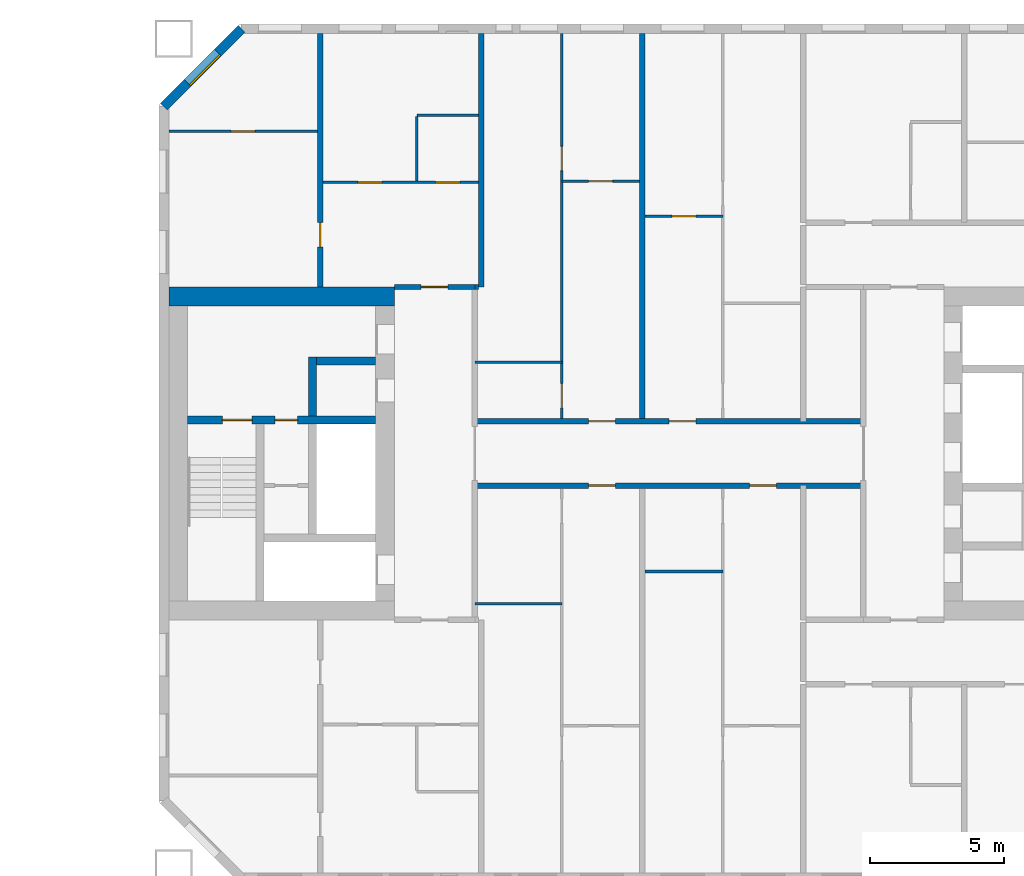
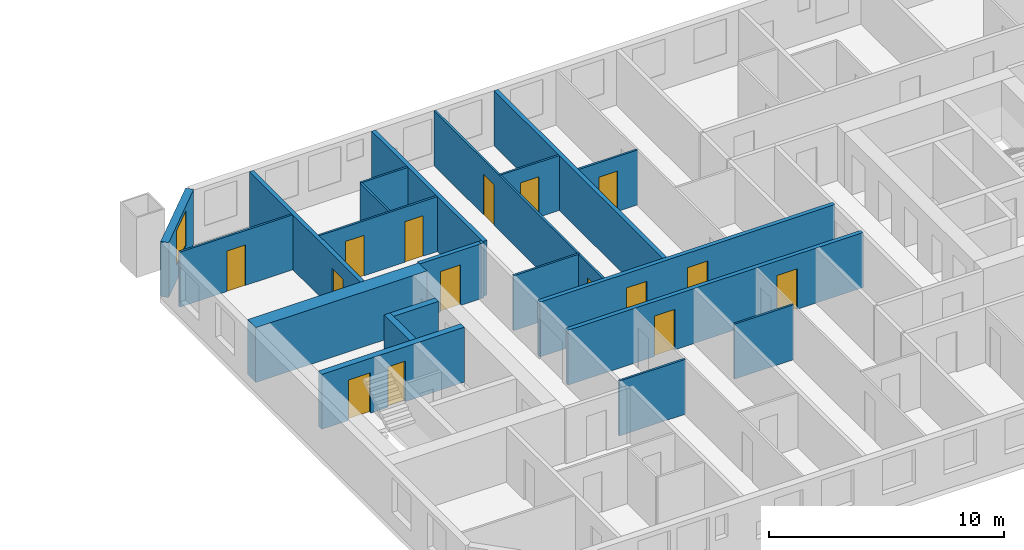
# One storey, part 10 of 17: 22 walls, 15 doors, 1 window, 16 openings.
"""IFC4 building model written with IfcOpenShell, lengths in metres."""

from ifc_helpers import new_model, si_unit, direction, frame, frame_2d, origin, place, context, subcontext, project, spatial, rectangle, extrude, material, layer, layer_set, type_object, element, fill, save


model = new_model("IFC4")

# Units and contexts
model_context = context("Model", 3, precision=1e-05, world=origin(), true_north=direction((0.0, 1.0)))
body_context = subcontext(model_context, "Body", "Model", "MODEL_VIEW")
ifc_project = project(units=[si_unit("LENGTHUNIT", "METRE"), si_unit("AREAUNIT", "SQUARE_METRE"), si_unit("VOLUMEUNIT", "CUBIC_METRE"), si_unit("PLANEANGLEUNIT", "RADIAN"), si_unit("MASSUNIT", "GRAM", prefix="KILO")], contexts=[model_context])

# Site, building, storey
site_placement = place(None, origin())
site = spatial("IfcSite", under=ifc_project, at=site_placement, CompositionType="ELEMENT")
building_placement = place(site_placement, origin())
building = spatial("IfcBuilding", under=site, at=building_placement, Name="Tuart Gate Housing", CompositionType="ELEMENT")
storey_placement = place(building_placement, frame((0.0, 0.0, 77.800048828125)))
storey = spatial("IfcBuildingStorey", under=building, at=storey_placement, Name="L21", CompositionType="ELEMENT", Elevation=77.800048828125)

# Wall, opening, window
ifc_material_1 = material(Name="Brick", Category="masonry")
ifc_layer_1 = layer(ifc_material_1, 0.360107421875)
ifc_layer_set_1 = layer_set([ifc_layer_1], Name="Brick pier and spandrel wall 360")
wall_type_1 = type_object("IfcWallType", Name="Brick pier and spandrel wall 360", PredefinedType="STANDARD", material=ifc_layer_set_1)
wall_1_placement = place(storey_placement, frame((134.07470703125, 85.820068359375, 0.0), z_axis=(0.0, 0.0, 1.0), x_axis=(-0.707106781187, -0.707106781187, 0.0)))
wall_1 = element("IfcWall", 1, at=wall_1_placement, inside=storey, type_object=wall_type_1, Name="External wall B-NW L21", PredefinedType="STANDARD", context=body_context, shape_type="SweptSolid", body=[
    extrude(rectangle(XDim=4.09375, YDim=0.360107421875, at=frame_2d((2.046875, 0.0))), origin(), (0.0, 0.0, 1.0), 2.849853515625),
])
opening_1_placement = place(wall_1_placement, frame((1.2470703125, 0.0, 0.800048828125)))
opening_1 = element("IfcOpeningElement", 2, at=opening_1_placement, cuts=wall_1, Name="Opening W1", PredefinedType="OPENING", context=body_context, shape_type="SweptSolid", body=[
    extrude(rectangle(XDim=1.60009765625, YDim=1.800048828125, at=frame_2d((0.800048828125, 0.89990234375))), frame((0.0, 0.18994140625, 0.0), z_axis=(0.0, -1.0, 0.0), x_axis=(1.0, 0.0, 0.0)), (0.0, 0.0, 1.0), 0.380126953125),
])
ifc_material_2 = material(Name="Aluminium frame with clear glass", Category="aluminium")
window_type = type_object("IfcWindowType", Name="Punched window 1600 x 1800", PartitioningType="SINGLE_PANEL", PredefinedType="WINDOW", material=ifc_material_2)
window_placement = place(opening_1_placement, origin())
window = element("IfcWindow", 3, at=window_placement, inside=storey, type_object=window_type, Name="Window W1", OverallHeight=1.800048828125, OverallWidth=1.60009765625, PartitioningType="SINGLE_PANEL", PredefinedType="WINDOW", context=body_context, shape_type="SweptSolid", body=[
    extrude(rectangle(XDim=1.60009765625, YDim=1.800048828125, at=frame_2d((0.800048828125, 0.89990234375))), frame((0.0, 0.150146484375, 0.0), z_axis=(0.0, -1.0, 0.0), x_axis=(1.0, 0.0, 0.0)), (0.0, 0.0, 1.0), 0.06005859375),
])
fill(opening_1, window)

# Wall, openings, doors
ifc_material_3 = material(Name="Concrete C50", Category="concrete")
ifc_layer_2 = layer(ifc_material_3, 0.300048828125)
ifc_layer_set_2 = layer_set([ifc_layer_2], Name="Core wall 300 C50")
wall_type_2 = type_object("IfcWallType", Name="Core wall 300 C50", PredefinedType="SHEAR", material=ifc_layer_set_2)
wall_2_placement = place(storey_placement, frame((139.06005859375, 71.25, 0.0), z_axis=(0.0, 0.0, 1.0), x_axis=(-1.0, 0.0, 0.0)))
wall_2 = element("IfcWall", 4, at=wall_2_placement, inside=storey, type_object=wall_type_2, Name="Core wall BG.3", PredefinedType="SHEAR", context=body_context, shape_type="SweptSolid", body=[
    extrude(rectangle(XDim=7.0, YDim=0.300048828125, at=frame_2d((3.5, 0.0))), origin(), (0.0, 0.0, 1.0), 2.849853515625),
])
opening_2_placement = place(wall_2_placement, frame((4.60009765625, 0.0, 0.0)))
opening_2 = element("IfcOpeningElement", 5, at=opening_2_placement, cuts=wall_2, Name="Opening D916", PredefinedType="OPENING", context=body_context, shape_type="SweptSolid", body=[
    extrude(rectangle(XDim=1.10009765625, YDim=2.10009765625, at=frame_2d((0.550048828125, 1.050048828125))), frame((0.0, 0.159912109375, 0.0), z_axis=(0.0, -1.0, 0.0), x_axis=(1.0, 0.0, 0.0)), (0.0, 0.0, 1.0), 0.320068359375),
])
opening_3_placement = place(wall_2_placement, frame((2.89990234375, 0.0, 0.0)))
opening_3 = element("IfcOpeningElement", 6, at=opening_3_placement, cuts=wall_2, Name="Opening D915", PredefinedType="OPENING", context=body_context, shape_type="SweptSolid", body=[
    extrude(rectangle(XDim=0.85009765625, YDim=2.10009765625, at=frame_2d((0.425048828125, 1.050048828125))), frame((0.0, 0.159912109375, 0.0), z_axis=(0.0, -1.0, 0.0), x_axis=(1.0, 0.0, 0.0)), (0.0, 0.0, 1.0), 0.320068359375),
])
ifc_material_4 = material(Name="Steel fire door", Category="steel")
door_type_1 = type_object("IfcDoorType", Name="Riser door 850 x 2100", OperationType="SINGLE_SWING_LEFT", PredefinedType="DOOR", material=ifc_material_4)
door_1_placement = place(opening_3_placement, origin())
door_1 = element("IfcDoor", 7, at=door_1_placement, inside=storey, type_object=door_type_1, Name="Service room door BG.W1", OperationType="SINGLE_SWING_LEFT", OverallHeight=2.10009765625, OverallWidth=0.85009765625, PredefinedType="DOOR", context=body_context, shape_type="SweptSolid", body=[
    extrude(rectangle(XDim=0.85009765625, YDim=2.10009765625, at=frame_2d((0.425048828125, 1.050048828125))), frame((0.0, 0.02490234375, 0.0), z_axis=(0.0, -1.0, 0.0), x_axis=(1.0, 0.0, 0.0)), (0.0, 0.0, 1.0), 0.050048828125),
])
fill(opening_3, door_1)
ifc_material_5 = material(Name="Steel fire door", Category="steel")
door_type_2 = type_object("IfcDoorType", Name="Stair door 1100 x 2100", OperationType="SINGLE_SWING_LEFT", PredefinedType="DOOR", material=ifc_material_5)
door_2_placement = place(opening_2_placement, origin())
door_2 = element("IfcDoor", 8, at=door_2_placement, inside=storey, type_object=door_type_2, Name="Stair door BG.SD", OperationType="SINGLE_SWING_LEFT", OverallHeight=2.10009765625, OverallWidth=1.10009765625, PredefinedType="DOOR", context=body_context, shape_type="SweptSolid", body=[
    extrude(rectangle(XDim=1.10009765625, YDim=2.10009765625, at=frame_2d((0.550048828125, 1.050048828125))), frame((0.0, 0.02490234375, 0.0), z_axis=(0.0, -1.0, 0.0), x_axis=(1.0, 0.0, 0.0)), (0.0, 0.0, 1.0), 0.050048828125),
])
fill(opening_2, door_2)

# Walls
wall_3_placement = place(storey_placement, frame((139.06005859375, 73.449951171875, 0.0), z_axis=(0.0, 0.0, 1.0), x_axis=(-1.0, 0.0, 0.0)))
element("IfcWall", 9, at=wall_3_placement, inside=storey, type_object=wall_type_2, Name="Core wall BG.4", PredefinedType="SHEAR", context=body_context, shape_type="SweptSolid", body=[
    extrude(rectangle(XDim=2.199951171875, YDim=0.300048828125, at=frame_2d((1.10009765625, 0.0))), origin(), (0.0, 0.0, 1.0), 2.849853515625),
])
wall_4_placement = place(storey_placement, frame((136.7099609375, 71.39990234375, 0.0), z_axis=(0.0, 0.0, 1.0), x_axis=(0.0, 1.0, 0.0)))
element("IfcWall", 10, at=wall_4_placement, inside=storey, type_object=wall_type_2, Name="Core wall BG.6", PredefinedType="SHEAR", context=body_context, shape_type="SweptSolid", body=[
    extrude(rectangle(XDim=2.2001953125, YDim=0.300048828125, at=frame_2d((1.10009765625, 0.0))), origin(), (0.0, 0.0, 1.0), 2.849853515625),
])
ifc_material_6 = material(Name="Concrete C50", Category="concrete")
ifc_layer_3 = layer(ifc_material_6, 0.699951171875)
ifc_layer_set_3 = layer_set([ifc_layer_3], Name="Core wall 700 C50")
wall_type_3 = type_object("IfcWallType", Name="Core wall 700 C50", PredefinedType="SHEAR", material=ifc_layer_set_3)
wall_5_placement = place(storey_placement, frame((139.760009765625, 75.85009765625, 0.0), z_axis=(0.0, 0.0, 1.0), x_axis=(-1.0, 0.0, 0.0)))
element("IfcWall", 11, at=wall_5_placement, inside=storey, type_object=wall_type_3, Name="Core wall BG north", PredefinedType="SHEAR", context=body_context, shape_type="SweptSolid", body=[
    extrude(rectangle(XDim=8.39990234375, YDim=0.699951171875, at=frame_2d((4.199951171875, 0.0))), origin(), (0.0, 0.0, 1.0), 2.849853515625),
])

# Wall, openings, doors
ifc_material_7 = material(Name="Concrete masonry 15 MPa", Category="masonry")
ifc_layer_4 = layer(ifc_material_7, 0.199951171875)
ifc_layer_set_4 = layer_set([ifc_layer_4], Name="Corridor wall masonry 200")
wall_type_4 = type_object("IfcWallType", Name="Corridor wall masonry 200", PredefinedType="PARTITIONING", material=ifc_layer_set_4)
wall_6_placement = place(storey_placement, frame((142.760009765625, 68.800048828125, 0.0), z_axis=(0.0, 0.0, 1.0), x_axis=(1.0, 0.0, 0.0)))
wall_6 = element("IfcWall", 12, at=wall_6_placement, inside=storey, type_object=wall_type_4, Name="Corridor wall masonry 200", PredefinedType="PARTITIONING", context=body_context, shape_type="SweptSolid", body=[
    extrude(rectangle(XDim=14.47998046875, YDim=0.199951171875, at=frame_2d((7.239990234375, 0.0))), origin(), (0.0, 0.0, 1.0), 2.849853515625),
])
opening_4_placement = place(wall_6_placement, frame((4.239990234375, 0.0, 0.0)))
opening_4 = element("IfcOpeningElement", 13, at=opening_4_placement, cuts=wall_6, Name="Opening D928", PredefinedType="OPENING", context=body_context, shape_type="SweptSolid", body=[
    extrude(rectangle(XDim=1.0, YDim=2.10009765625, at=frame_2d((0.5, 1.050048828125))), frame((0.0, 0.10986328125, 0.0), z_axis=(0.0, -1.0, 0.0), x_axis=(1.0, 0.0, 0.0)), (0.0, 0.0, 1.0), 0.219970703125),
])
opening_5_placement = place(wall_6_placement, frame((10.239990234375, 0.0, 0.0)))
opening_5 = element("IfcOpeningElement", 14, at=opening_5_placement, cuts=wall_6, Name="Opening D929", PredefinedType="OPENING", context=body_context, shape_type="SweptSolid", body=[
    extrude(rectangle(XDim=1.0, YDim=2.10009765625, at=frame_2d((0.5, 1.050048828125))), frame((0.0, 0.10986328125, 0.0), z_axis=(0.0, -1.0, 0.0), x_axis=(1.0, 0.0, 0.0)), (0.0, 0.0, 1.0), 0.219970703125),
])
ifc_material_8 = material(Name="Timber door leaf in steel frame", Category="steel")
door_type_3 = type_object("IfcDoorType", Name="Flat entrance door 1000 RH", OperationType="SINGLE_SWING_RIGHT", PredefinedType="DOOR", material=ifc_material_8)
door_3_placement = place(opening_4_placement, frame((1.0, 0.0, 0.0), z_axis=(0.0, 0.0, 1.0), x_axis=(-1.0, 0.0, 0.0)))
door_3 = element("IfcDoor", 15, at=door_3_placement, inside=storey, type_object=door_type_3, Name="Flat entrance door", OperationType="SINGLE_SWING_RIGHT", OverallHeight=2.10009765625, OverallWidth=1.0, PredefinedType="DOOR", context=body_context, shape_type="SweptSolid", body=[
    extrude(rectangle(XDim=1.0, YDim=2.10009765625, at=frame_2d((0.5, 1.050048828125))), frame((0.0, 0.025146484375, 0.0), z_axis=(0.0, -1.0, 0.0), x_axis=(1.0, 0.0, 0.0)), (0.0, 0.0, 1.0), 0.050048828125),
])
fill(opening_4, door_3)
door_4_placement = place(opening_5_placement, frame((1.0, 0.0, 0.0), z_axis=(0.0, 0.0, 1.0), x_axis=(-1.0, 0.0, 0.0)))
door_4 = element("IfcDoor", 16, at=door_4_placement, inside=storey, type_object=door_type_3, Name="Flat entrance door", OperationType="SINGLE_SWING_RIGHT", OverallHeight=2.10009765625, OverallWidth=1.0, PredefinedType="DOOR", context=body_context, shape_type="SweptSolid", body=[
    extrude(rectangle(XDim=1.0, YDim=2.10009765625, at=frame_2d((0.5, 1.050048828125))), frame((0.0, 0.025146484375, 0.0), z_axis=(0.0, -1.0, 0.0), x_axis=(1.0, 0.0, 0.0)), (0.0, 0.0, 1.0), 0.050048828125),
])
fill(opening_5, door_4)

wall_7_placement = place(storey_placement, frame((142.760009765625, 71.199951171875, 0.0), z_axis=(0.0, 0.0, 1.0), x_axis=(1.0, 0.0, 0.0)))
wall_7 = element("IfcWall", 17, at=wall_7_placement, inside=storey, type_object=wall_type_4, Name="Corridor wall masonry 200", PredefinedType="PARTITIONING", context=body_context, shape_type="SweptSolid", body=[
    extrude(rectangle(XDim=14.47998046875, YDim=0.199951171875, at=frame_2d((7.239990234375, 0.0))), origin(), (0.0, 0.0, 1.0), 2.849853515625),
])
opening_6_placement = place(wall_7_placement, frame((4.239990234375, 0.0, 0.0)))
opening_6 = element("IfcOpeningElement", 18, at=opening_6_placement, cuts=wall_7, Name="Opening D917", PredefinedType="OPENING", context=body_context, shape_type="SweptSolid", body=[
    extrude(rectangle(XDim=1.0, YDim=2.10009765625, at=frame_2d((0.5, 1.050048828125))), frame((0.0, 0.10986328125, 0.0), z_axis=(0.0, -1.0, 0.0), x_axis=(1.0, 0.0, 0.0)), (0.0, 0.0, 1.0), 0.219970703125),
])
opening_7_placement = place(wall_7_placement, frame((7.239990234375, 0.0, 0.0)))
opening_7 = element("IfcOpeningElement", 19, at=opening_7_placement, cuts=wall_7, Name="Opening D918", PredefinedType="OPENING", context=body_context, shape_type="SweptSolid", body=[
    extrude(rectangle(XDim=1.0, YDim=2.10009765625, at=frame_2d((0.5, 1.050048828125))), frame((0.0, 0.10986328125, 0.0), z_axis=(0.0, -1.0, 0.0), x_axis=(1.0, 0.0, 0.0)), (0.0, 0.0, 1.0), 0.219970703125),
])
ifc_material_9 = material(Name="Timber door leaf in steel frame", Category="steel")
door_type_4 = type_object("IfcDoorType", Name="Flat entrance door 1000", OperationType="SINGLE_SWING_LEFT", PredefinedType="DOOR", material=ifc_material_9)
door_5_placement = place(opening_6_placement, origin())
door_5 = element("IfcDoor", 20, at=door_5_placement, inside=storey, type_object=door_type_4, Name="Flat entrance door", OperationType="SINGLE_SWING_LEFT", OverallHeight=2.10009765625, OverallWidth=1.0, PredefinedType="DOOR", context=body_context, shape_type="SweptSolid", body=[
    extrude(rectangle(XDim=1.0, YDim=2.10009765625, at=frame_2d((0.5, 1.050048828125))), frame((0.0, 0.02490234375, 0.0), z_axis=(0.0, -1.0, 0.0), x_axis=(1.0, 0.0, 0.0)), (0.0, 0.0, 1.0), 0.050048828125),
])
fill(opening_6, door_5)
door_6_placement = place(opening_7_placement, origin())
door_6 = element("IfcDoor", 21, at=door_6_placement, inside=storey, type_object=door_type_4, Name="Flat entrance door", OperationType="SINGLE_SWING_LEFT", OverallHeight=2.10009765625, OverallWidth=1.0, PredefinedType="DOOR", context=body_context, shape_type="SweptSolid", body=[
    extrude(rectangle(XDim=1.0, YDim=2.10009765625, at=frame_2d((0.5, 1.050048828125))), frame((0.0, 0.02490234375, 0.0), z_axis=(0.0, -1.0, 0.0), x_axis=(1.0, 0.0, 0.0)), (0.0, 0.0, 1.0), 0.050048828125),
])
fill(opening_7, door_6)

# Wall, opening, door
ifc_material_10 = material(Name="Concrete masonry 15 MPa", Category="masonry")
ifc_layer_5 = layer(ifc_material_10, 0.199951171875)
ifc_layer_set_5 = layer_set([ifc_layer_5], Name="Enclosure wall masonry 200")
wall_type_5 = type_object("IfcWallType", Name="Enclosure wall masonry 200", PredefinedType="PARTITIONING", material=ifc_layer_set_5)
wall_8_placement = place(storey_placement, frame((139.760009765625, 76.199951171875, 0.0), z_axis=(0.0, 0.0, 1.0), x_axis=(1.0, 0.0, 0.0)))
wall_8 = element("IfcWall", 22, at=wall_8_placement, inside=storey, type_object=wall_type_5, Name="Enclosure wall masonry 200", PredefinedType="PARTITIONING", context=body_context, shape_type="SweptSolid", body=[
    extrude(rectangle(XDim=3.0, YDim=0.199951171875, at=frame_2d((1.5, 0.0))), origin(), (0.0, 0.0, 1.0), 2.849853515625),
])
opening_8_placement = place(wall_8_placement, frame((1.0, 0.0, 0.0)))
opening_8 = element("IfcOpeningElement", 23, at=opening_8_placement, cuts=wall_8, Name="Opening D913", PredefinedType="OPENING", context=body_context, shape_type="SweptSolid", body=[
    extrude(rectangle(XDim=1.0, YDim=2.10009765625, at=frame_2d((0.5, 1.050048828125))), frame((0.0, 0.10986328125, 0.0), z_axis=(0.0, -1.0, 0.0), x_axis=(1.0, 0.0, 0.0)), (0.0, 0.0, 1.0), 0.219970703125),
])
door_7_placement = place(opening_8_placement, origin())
door_7 = element("IfcDoor", 24, at=door_7_placement, inside=storey, type_object=door_type_3, Name="Flat entrance door", OperationType="SINGLE_SWING_RIGHT", OverallHeight=2.10009765625, OverallWidth=1.0, PredefinedType="DOOR", context=body_context, shape_type="SweptSolid", body=[
    extrude(rectangle(XDim=1.0, YDim=2.10009765625, at=frame_2d((0.5, 1.050048828125))), frame((0.0, 0.02490234375, 0.0), z_axis=(0.0, -1.0, 0.0), x_axis=(1.0, 0.0, 0.0)), (0.0, 0.0, 1.0), 0.050048828125),
])
fill(opening_8, door_7)

# Walls
ifc_material_11 = material(Name="Gypsum board on steel studs", Category="steel")
ifc_layer_6 = layer(ifc_material_11, 0.10009765625)
ifc_layer_set_6 = layer_set([ifc_layer_6], Name="Partition 100")
wall_type_6 = type_object("IfcWallType", Name="Partition 100", PredefinedType="PARTITIONING", material=ifc_layer_set_6)
wall_9_placement = place(storey_placement, frame((142.760009765625, 64.39990234375, 0.0), z_axis=(0.0, 0.0, 1.0), x_axis=(1.0, 0.0, 0.0)))
element("IfcWall", 25, at=wall_9_placement, inside=storey, type_object=wall_type_6, Name="Partition 100", PredefinedType="PARTITIONING", context=body_context, shape_type="SweptSolid", body=[
    extrude(rectangle(XDim=3.239990234375, YDim=0.10009765625, at=frame_2d((1.6201171875, 0.0))), origin(), (0.0, 0.0, 1.0), 2.849853515625),
])
wall_10_placement = place(storey_placement, frame((149.10009765625, 65.60009765625, 0.0), z_axis=(0.0, 0.0, 1.0), x_axis=(1.0, 0.0, 0.0)))
element("IfcWall", 26, at=wall_10_placement, inside=storey, type_object=wall_type_6, Name="Partition 100", PredefinedType="PARTITIONING", context=body_context, shape_type="SweptSolid", body=[
    extrude(rectangle(XDim=2.89990234375, YDim=0.10009765625, at=frame_2d((1.449951171875, 0.0))), origin(), (0.0, 0.0, 1.0), 2.849853515625),
])
wall_11_placement = place(storey_placement, frame((142.760009765625, 73.39990234375, 0.0), z_axis=(0.0, 0.0, 1.0), x_axis=(1.0, 0.0, 0.0)))
element("IfcWall", 27, at=wall_11_placement, inside=storey, type_object=wall_type_6, Name="Partition 100", PredefinedType="PARTITIONING", context=body_context, shape_type="SweptSolid", body=[
    extrude(rectangle(XDim=3.239990234375, YDim=0.10009765625, at=frame_2d((1.6201171875, 0.0))), origin(), (0.0, 0.0, 1.0), 2.849853515625),
])

# Wall, opening, door
wall_12_placement = place(storey_placement, frame((149.10009765625, 78.840087890625, 0.0), z_axis=(0.0, 0.0, 1.0), x_axis=(1.0, 0.0, 0.0)))
wall_12 = element("IfcWall", 28, at=wall_12_placement, inside=storey, type_object=wall_type_6, Name="Partition 100", PredefinedType="PARTITIONING", context=body_context, shape_type="SweptSolid", body=[
    extrude(rectangle(XDim=2.89990234375, YDim=0.10009765625, at=frame_2d((1.449951171875, 0.0))), origin(), (0.0, 0.0, 1.0), 2.849853515625),
])
opening_9_placement = place(wall_12_placement, frame((1.0, 0.0, 0.0)))
opening_9 = element("IfcOpeningElement", 29, at=opening_9_placement, cuts=wall_12, Name="Opening D905", PredefinedType="OPENING", context=body_context, shape_type="SweptSolid", body=[
    extrude(rectangle(XDim=0.89990234375, YDim=2.10009765625, at=frame_2d((0.449951171875, 1.050048828125))), frame((0.0, 0.06005859375, 0.0), z_axis=(0.0, -1.0, 0.0), x_axis=(1.0, 0.0, 0.0)), (0.0, 0.0, 1.0), 0.1201171875),
])
ifc_material_12 = material(Name="Timber door leaf in steel frame", Category="steel")
door_type_5 = type_object("IfcDoorType", Name="Internal door 900", OperationType="SINGLE_SWING_LEFT", PredefinedType="DOOR", material=ifc_material_12)
door_8_placement = place(opening_9_placement, frame((0.89990234375, 0.0, 0.0), z_axis=(0.0, 0.0, 1.0), x_axis=(-1.0, 0.0, 0.0)))
door_8 = element("IfcDoor", 30, at=door_8_placement, inside=storey, type_object=door_type_5, Name="Internal door", OperationType="SINGLE_SWING_LEFT", OverallHeight=2.10009765625, OverallWidth=0.89990234375, PredefinedType="DOOR", context=body_context, shape_type="SweptSolid", body=[
    extrude(rectangle(XDim=0.89990234375, YDim=2.10009765625, at=frame_2d((0.449951171875, 1.050048828125))), frame((0.0, 0.025146484375, 0.0), z_axis=(0.0, -1.0, 0.0), x_axis=(1.0, 0.0, 0.0)), (0.0, 0.0, 1.0), 0.050048828125),
])
fill(opening_9, door_8)

# Wall, openings, doors
wall_13_placement = place(storey_placement, frame((137.10009765625, 80.10009765625, 0.0), z_axis=(0.0, 0.0, 1.0), x_axis=(1.0, 0.0, 0.0)))
wall_13 = element("IfcWall", 31, at=wall_13_placement, inside=storey, type_object=wall_type_6, Name="Partition 100", PredefinedType="PARTITIONING", context=body_context, shape_type="SweptSolid", body=[
    extrude(rectangle(XDim=5.7998046875, YDim=0.10009765625, at=frame_2d((2.89990234375, 0.0))), origin(), (0.0, 0.0, 1.0), 2.849853515625),
])
opening_10_placement = place(wall_13_placement, frame((1.300048828125, 0.0, 0.0)))
opening_10 = element("IfcOpeningElement", 32, at=opening_10_placement, cuts=wall_13, Name="Opening D904", PredefinedType="OPENING", context=body_context, shape_type="SweptSolid", body=[
    extrude(rectangle(XDim=0.89990234375, YDim=2.10009765625, at=frame_2d((0.449951171875, 1.050048828125))), frame((0.0, 0.06005859375, 0.0), z_axis=(0.0, -1.0, 0.0), x_axis=(1.0, 0.0, 0.0)), (0.0, 0.0, 1.0), 0.1201171875),
])
opening_11_placement = place(wall_13_placement, frame((4.199951171875, 0.0, 0.0)))
opening_11 = element("IfcOpeningElement", 33, at=opening_11_placement, cuts=wall_13, Name="Opening D903", PredefinedType="OPENING", context=body_context, shape_type="SweptSolid", body=[
    extrude(rectangle(XDim=0.89990234375, YDim=2.10009765625, at=frame_2d((0.449951171875, 1.050048828125))), frame((0.0, 0.06005859375, 0.0), z_axis=(0.0, -1.0, 0.0), x_axis=(1.0, 0.0, 0.0)), (0.0, 0.0, 1.0), 0.1201171875),
])
ifc_material_13 = material(Name="Timber door leaf in steel frame", Category="steel")
door_type_6 = type_object("IfcDoorType", Name="Bathroom door 900", OperationType="SINGLE_SWING_LEFT", PredefinedType="DOOR", material=ifc_material_13)
door_9_placement = place(opening_11_placement, origin())
door_9 = element("IfcDoor", 34, at=door_9_placement, inside=storey, type_object=door_type_6, Name="Bathroom door", OperationType="SINGLE_SWING_LEFT", OverallHeight=2.10009765625, OverallWidth=0.89990234375, PredefinedType="DOOR", context=body_context, shape_type="SweptSolid", body=[
    extrude(rectangle(XDim=0.89990234375, YDim=2.10009765625, at=frame_2d((0.449951171875, 1.050048828125))), frame((0.0, 0.02490234375, 0.0), z_axis=(0.0, -1.0, 0.0), x_axis=(1.0, 0.0, 0.0)), (0.0, 0.0, 1.0), 0.050048828125),
])
fill(opening_11, door_9)
ifc_material_14 = material(Name="Timber door leaf in steel frame", Category="steel")
door_type_7 = type_object("IfcDoorType", Name="Internal door 900 RH", OperationType="SINGLE_SWING_RIGHT", PredefinedType="DOOR", material=ifc_material_14)
door_10_placement = place(opening_10_placement, origin())
door_10 = element("IfcDoor", 35, at=door_10_placement, inside=storey, type_object=door_type_7, Name="Internal door", OperationType="SINGLE_SWING_RIGHT", OverallHeight=2.10009765625, OverallWidth=0.89990234375, PredefinedType="DOOR", context=body_context, shape_type="SweptSolid", body=[
    extrude(rectangle(XDim=0.89990234375, YDim=2.10009765625, at=frame_2d((0.449951171875, 1.050048828125))), frame((0.0, 0.02490234375, 0.0), z_axis=(0.0, -1.0, 0.0), x_axis=(1.0, 0.0, 0.0)), (0.0, 0.0, 1.0), 0.050048828125),
])
fill(opening_10, door_10)

# Wall, opening, door
wall_14_placement = place(storey_placement, frame((146.0, 80.139892578125, 0.0), z_axis=(0.0, 0.0, 1.0), x_axis=(1.0, 0.0, 0.0)))
wall_14 = element("IfcWall", 36, at=wall_14_placement, inside=storey, type_object=wall_type_6, Name="Partition 100", PredefinedType="PARTITIONING", context=body_context, shape_type="SweptSolid", body=[
    extrude(rectangle(XDim=2.89990234375, YDim=0.10009765625, at=frame_2d((1.449951171875, 0.0))), origin(), (0.0, 0.0, 1.0), 2.849853515625),
])
opening_12_placement = place(wall_14_placement, frame((1.0, 0.0, 0.0)))
opening_12 = element("IfcOpeningElement", 37, at=opening_12_placement, cuts=wall_14, Name="Opening D900", PredefinedType="OPENING", context=body_context, shape_type="SweptSolid", body=[
    extrude(rectangle(XDim=0.89990234375, YDim=2.10009765625, at=frame_2d((0.449951171875, 1.050048828125))), frame((0.0, 0.06005859375, 0.0), z_axis=(0.0, -1.0, 0.0), x_axis=(1.0, 0.0, 0.0)), (0.0, 0.0, 1.0), 0.1201171875),
])
door_11_placement = place(opening_12_placement, frame((0.89990234375, 0.0, 0.0), z_axis=(0.0, 0.0, 1.0), x_axis=(-1.0, 0.0, 0.0)))
door_11 = element("IfcDoor", 38, at=door_11_placement, inside=storey, type_object=door_type_7, Name="Internal door", OperationType="SINGLE_SWING_RIGHT", OverallHeight=2.10009765625, OverallWidth=0.89990234375, PredefinedType="DOOR", context=body_context, shape_type="SweptSolid", body=[
    extrude(rectangle(XDim=0.89990234375, YDim=2.10009765625, at=frame_2d((0.449951171875, 1.050048828125))), frame((0.0, 0.025146484375, 0.0), z_axis=(0.0, -1.0, 0.0), x_axis=(1.0, 0.0, 0.0)), (0.0, 0.0, 1.0), 0.050048828125),
])
fill(opening_12, door_11)

wall_15_placement = place(storey_placement, frame((131.360107421875, 82.0, 0.0), z_axis=(0.0, 0.0, 1.0), x_axis=(1.0, 0.0, 0.0)))
wall_15 = element("IfcWall", 39, at=wall_15_placement, inside=storey, type_object=wall_type_6, Name="Partition 100", PredefinedType="PARTITIONING", context=body_context, shape_type="SweptSolid", body=[
    extrude(rectangle(XDim=5.539794921875, YDim=0.10009765625, at=frame_2d((2.77001953125, 0.0))), origin(), (0.0, 0.0, 1.0), 2.849853515625),
])
opening_13_placement = place(wall_15_placement, frame((2.320068359375, 0.0, 0.0)))
opening_13 = element("IfcOpeningElement", 40, at=opening_13_placement, cuts=wall_15, Name="Opening D897", PredefinedType="OPENING", context=body_context, shape_type="SweptSolid", body=[
    extrude(rectangle(XDim=0.89990234375, YDim=2.10009765625, at=frame_2d((0.449951171875, 1.050048828125))), frame((0.0, 0.06005859375, 0.0), z_axis=(0.0, -1.0, 0.0), x_axis=(1.0, 0.0, 0.0)), (0.0, 0.0, 1.0), 0.1201171875),
])
door_12_placement = place(opening_13_placement, origin())
door_12 = element("IfcDoor", 41, at=door_12_placement, inside=storey, type_object=door_type_5, Name="Internal door", OperationType="SINGLE_SWING_LEFT", OverallHeight=2.10009765625, OverallWidth=0.89990234375, PredefinedType="DOOR", context=body_context, shape_type="SweptSolid", body=[
    extrude(rectangle(XDim=0.89990234375, YDim=2.10009765625, at=frame_2d((0.449951171875, 1.050048828125))), frame((0.0, 0.02490234375, 0.0), z_axis=(0.0, -1.0, 0.0), x_axis=(1.0, 0.0, 0.0)), (0.0, 0.0, 1.0), 0.050048828125),
])
fill(opening_13, door_12)

# Walls
wall_16_placement = place(storey_placement, frame((140.60009765625, 82.60009765625, 0.0), z_axis=(0.0, 0.0, 1.0), x_axis=(1.0, 0.0, 0.0)))
element("IfcWall", 42, at=wall_16_placement, inside=storey, type_object=wall_type_6, Name="Partition 100", PredefinedType="PARTITIONING", context=body_context, shape_type="SweptSolid", body=[
    extrude(rectangle(XDim=2.2998046875, YDim=0.10009765625, at=frame_2d((1.14990234375, 0.0))), origin(), (0.0, 0.0, 1.0), 2.849853515625),
])
wall_17_placement = place(storey_placement, frame((140.60009765625, 80.14990234375, 0.0), z_axis=(0.0, 0.0, 1.0), x_axis=(0.0, 1.0, 0.0)))
element("IfcWall", 43, at=wall_17_placement, inside=storey, type_object=wall_type_6, Name="Partition 100", PredefinedType="PARTITIONING", context=body_context, shape_type="SweptSolid", body=[
    extrude(rectangle(XDim=2.400146484375, YDim=0.10009765625, at=frame_2d((1.2001953125, 0.0))), origin(), (0.0, 0.0, 1.0), 2.849853515625),
])

# Wall, openings, doors
wall_18_placement = place(storey_placement, frame((146.0, 71.300048828125, 0.0), z_axis=(0.0, 0.0, 1.0), x_axis=(0.0, 1.0, 0.0)))
wall_18 = element("IfcWall", 44, at=wall_18_placement, inside=storey, type_object=wall_type_6, Name="Partition 100", PredefinedType="PARTITIONING", context=body_context, shape_type="SweptSolid", body=[
    extrude(rectangle(XDim=14.33984375, YDim=0.10009765625, at=frame_2d((7.169921875, 0.0))), origin(), (0.0, 0.0, 1.0), 2.849853515625),
])
opening_14_placement = place(wall_18_placement, frame((9.239990234375, 0.0, 0.0)))
opening_14 = element("IfcOpeningElement", 45, at=opening_14_placement, cuts=wall_18, Name="Opening D910", PredefinedType="OPENING", context=body_context, shape_type="SweptSolid", body=[
    extrude(rectangle(XDim=0.89990234375, YDim=2.10009765625, at=frame_2d((0.449951171875, 1.050048828125))), frame((0.0, 0.06005859375, 0.0), z_axis=(0.0, -1.0, 0.0), x_axis=(1.0, 0.0, 0.0)), (0.0, 0.0, 1.0), 0.1201171875),
])
opening_15_placement = place(wall_18_placement, frame((0.39990234375, 0.0, 0.0)))
opening_15 = element("IfcOpeningElement", 46, at=opening_15_placement, cuts=wall_18, Name="Opening D909", PredefinedType="OPENING", context=body_context, shape_type="SweptSolid", body=[
    extrude(rectangle(XDim=0.89990234375, YDim=2.10009765625, at=frame_2d((0.449951171875, 1.050048828125))), frame((0.0, 0.06005859375, 0.0), z_axis=(0.0, -1.0, 0.0), x_axis=(1.0, 0.0, 0.0)), (0.0, 0.0, 1.0), 0.1201171875),
])
door_13_placement = place(opening_15_placement, origin())
door_13 = element("IfcDoor", 47, at=door_13_placement, inside=storey, type_object=door_type_6, Name="Bathroom door", OperationType="SINGLE_SWING_LEFT", OverallHeight=2.10009765625, OverallWidth=0.89990234375, PredefinedType="DOOR", context=body_context, shape_type="SweptSolid", body=[
    extrude(rectangle(XDim=0.89990234375, YDim=2.10009765625, at=frame_2d((0.449951171875, 1.050048828125))), frame((0.0, 0.02490234375, 0.0), z_axis=(0.0, -1.0, 0.0), x_axis=(1.0, 0.0, 0.0)), (0.0, 0.0, 1.0), 0.050048828125),
])
fill(opening_15, door_13)
door_14_placement = place(opening_14_placement, origin())
door_14 = element("IfcDoor", 48, at=door_14_placement, inside=storey, type_object=door_type_7, Name="Internal door", OperationType="SINGLE_SWING_RIGHT", OverallHeight=2.10009765625, OverallWidth=0.89990234375, PredefinedType="DOOR", context=body_context, shape_type="SweptSolid", body=[
    extrude(rectangle(XDim=0.89990234375, YDim=2.10009765625, at=frame_2d((0.449951171875, 1.050048828125))), frame((0.0, 0.02490234375, 0.0), z_axis=(0.0, -1.0, 0.0), x_axis=(1.0, 0.0, 0.0)), (0.0, 0.0, 1.0), 0.050048828125),
])
fill(opening_14, door_14)

# Wall, opening, door
ifc_material_15 = material(Name="Concrete C40", Category="concrete")
ifc_layer_7 = layer(ifc_material_15, 0.199951171875)
ifc_layer_set_7 = layer_set([ifc_layer_7], Name="Party wall concrete C40 200")
wall_type_7 = type_object("IfcWallType", Name="Party wall concrete C40 200", PredefinedType="SOLIDWALL", material=ifc_layer_set_7)
wall_19_placement = place(storey_placement, frame((137.0, 76.199951171875, 0.0), z_axis=(0.0, 0.0, 1.0), x_axis=(0.0, 1.0, 0.0)))
wall_19 = element("IfcWall", 49, at=wall_19_placement, inside=storey, type_object=wall_type_7, Name="Party wall concrete C40 200", PredefinedType="SOLIDWALL", context=body_context, shape_type="SweptSolid", body=[
    extrude(rectangle(XDim=9.43994140625, YDim=0.199951171875, at=frame_2d((4.719970703125, 0.0))), origin(), (0.0, 0.0, 1.0), 2.849853515625),
])
opening_16_placement = place(wall_19_placement, frame((1.5, 0.0, 0.0)))
opening_16 = element("IfcOpeningElement", 50, at=opening_16_placement, cuts=wall_19, Name="Opening D898", PredefinedType="OPENING", context=body_context, shape_type="SweptSolid", body=[
    extrude(rectangle(XDim=0.89990234375, YDim=2.10009765625, at=frame_2d((0.449951171875, 1.050048828125))), frame((0.0, 0.10986328125, 0.0), z_axis=(0.0, -1.0, 0.0), x_axis=(1.0, 0.0, 0.0)), (0.0, 0.0, 1.0), 0.219970703125),
])
door_15_placement = place(opening_16_placement, frame((0.89990234375, 0.0, 0.0), z_axis=(0.0, 0.0, 1.0), x_axis=(-1.0, 0.0, 0.0)))
door_15 = element("IfcDoor", 51, at=door_15_placement, inside=storey, type_object=door_type_7, Name="Internal door", OperationType="SINGLE_SWING_RIGHT", OverallHeight=2.10009765625, OverallWidth=0.89990234375, PredefinedType="DOOR", context=body_context, shape_type="SweptSolid", body=[
    extrude(rectangle(XDim=0.89990234375, YDim=2.10009765625, at=frame_2d((0.449951171875, 1.050048828125))), frame((0.0, 0.025146484375, 0.0), z_axis=(0.0, -1.0, 0.0), x_axis=(1.0, 0.0, 0.0)), (0.0, 0.0, 1.0), 0.050048828125),
])
fill(opening_16, door_15)

# Walls
wall_20_placement = place(storey_placement, frame((143.0, 76.199951171875, 0.0), z_axis=(0.0, 0.0, 1.0), x_axis=(0.0, 1.0, 0.0)))
element("IfcWall", 52, at=wall_20_placement, inside=storey, type_object=wall_type_7, Name="Party wall concrete C40 200", PredefinedType="SOLIDWALL", context=body_context, shape_type="SweptSolid", body=[
    extrude(rectangle(XDim=9.43994140625, YDim=0.199951171875, at=frame_2d((4.719970703125, 0.0))), origin(), (0.0, 0.0, 1.0), 2.849853515625),
])
wall_21_placement = place(storey_placement, frame((149.0, 71.199951171875, 0.0), z_axis=(0.0, 0.0, 1.0), x_axis=(0.0, 1.0, 0.0)))
element("IfcWall", 53, at=wall_21_placement, inside=storey, type_object=wall_type_7, Name="Party wall concrete C40 200", PredefinedType="SOLIDWALL", context=body_context, shape_type="SweptSolid", body=[
    extrude(rectangle(XDim=14.43994140625, YDim=0.199951171875, at=frame_2d((7.219970703125, 0.0))), origin(), (0.0, 0.0, 1.0), 2.849853515625),
])
ifc_material_16 = material(Name="Concrete masonry 15 MPa", Category="masonry")
ifc_layer_8 = layer(ifc_material_16, 0.199951171875)
ifc_layer_set_8 = layer_set([ifc_layer_8], Name="Party wall masonry 200")
wall_type_8 = type_object("IfcWallType", Name="Party wall masonry 200", PredefinedType="PARTITIONING", material=ifc_layer_set_8)
wall_22_placement = place(storey_placement, frame((142.760009765625, 76.199951171875, 0.0), z_axis=(0.0, 0.0, 1.0), x_axis=(1.0, 0.0, 0.0)))
element("IfcWall", 54, at=wall_22_placement, inside=storey, type_object=wall_type_8, Name="Party wall masonry 200", PredefinedType="PARTITIONING", context=body_context, shape_type="SweptSolid", body=[
    extrude(rectangle(XDim=0.139892578125, YDim=0.199951171875, at=frame_2d((0.06982421875, 0.0))), origin(), (0.0, 0.0, 1.0), 2.849853515625),
])

save(model, "model.ifc")
